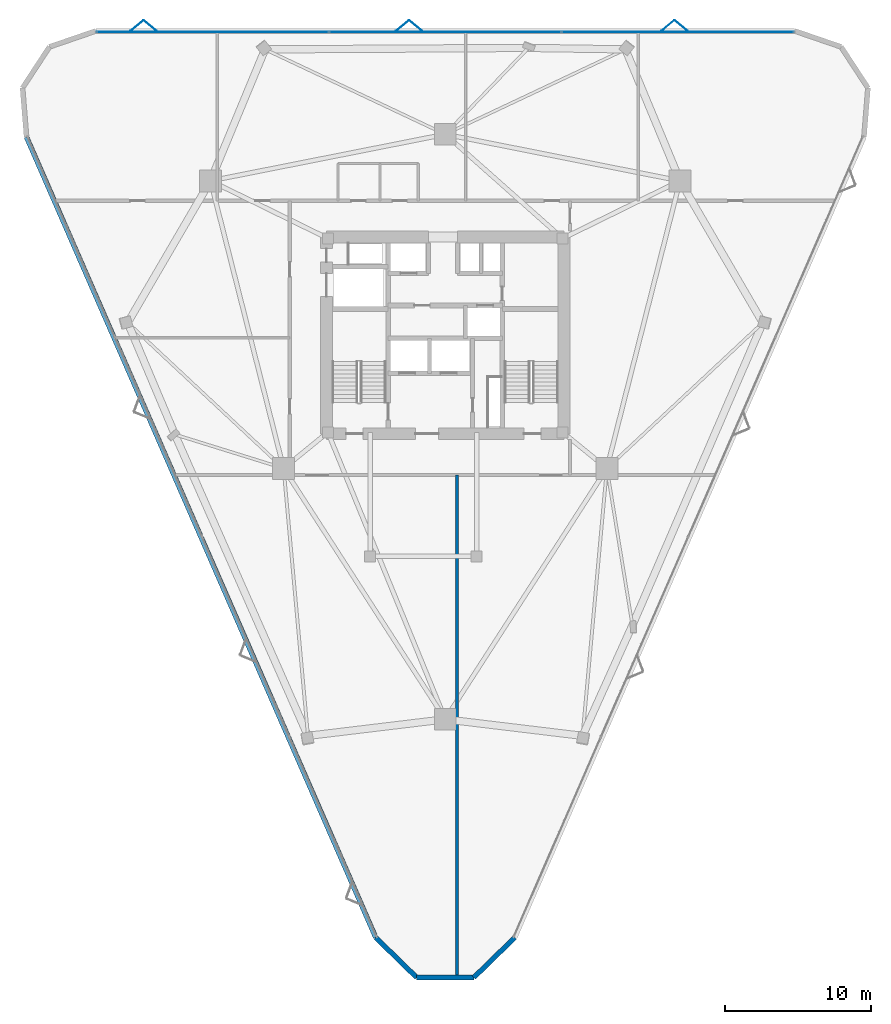
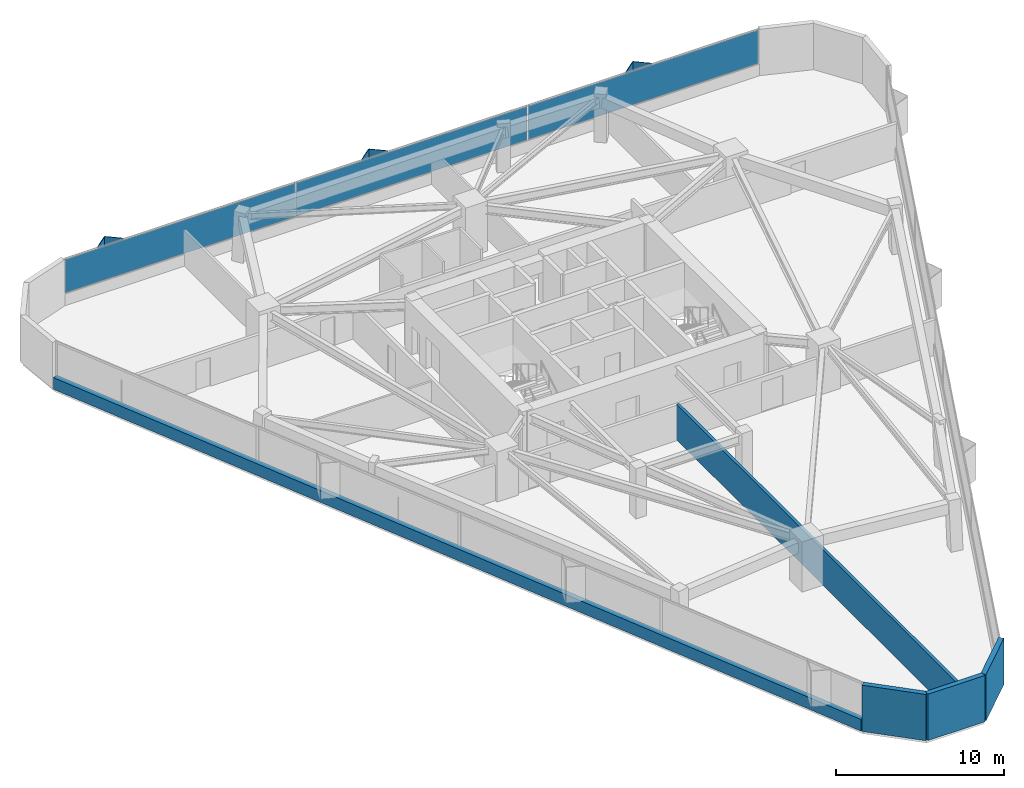
# One storey, part 11 of 14: 9 plates, 5 walls, 1 element without a shape of its own.
"""IFC4 building model written with IfcOpenShell, lengths in metres."""

from ifc_helpers import new_model, si_unit, direction, frame, frame_2d, origin, origin_2d, place, context, subcontext, project, spatial, rectangle, extrude, material, layer, layer_set, type_object, element, aggregate, save


model = new_model("IFC4")

# Units and contexts
model_context = context("Model", 3, precision=1e-05, world=origin(), true_north=direction((0.0, 1.0)))
body_context = subcontext(model_context, "Body", "Model", "MODEL_VIEW")
ifc_project = project(units=[si_unit("LENGTHUNIT", "METRE"), si_unit("AREAUNIT", "SQUARE_METRE"), si_unit("VOLUMEUNIT", "CUBIC_METRE"), si_unit("PLANEANGLEUNIT", "RADIAN"), si_unit("MASSUNIT", "GRAM", prefix="KILO")], contexts=[model_context])

# Site, building, storey
site_placement = place(None, origin())
site = spatial("IfcSite", under=ifc_project, at=site_placement, CompositionType="ELEMENT")
building_placement = place(site_placement, origin())
building = spatial("IfcBuilding", under=site, at=building_placement, Name="Talyreon Biosciences Tower", CompositionType="ELEMENT")
storey_placement = place(building_placement, frame((0.0, 0.0, 138.14990234375)))
storey = spatial("IfcBuildingStorey", under=building, at=storey_placement, Name="L36", CompositionType="ELEMENT", Elevation=138.14990234375)

# Curtain wall, plates
ifc_material_1 = material(Name="Thermally broken aluminium and low-E glazing", Category="aluminium")
ifc_layer_1 = layer(ifc_material_1, 0.18505859375)
ifc_layer_set_1 = layer_set([ifc_layer_1], Name="Thermally broken aluminium and low-E glazing")
curtain_wall_type = type_object("IfcCurtainWallType", Name="CurtainWall_Zone3Bioprocess", PredefinedType="NOTDEFINED", material=ifc_layer_set_1)
curtain_wall_placement = place(storey_placement, origin())
curtain_wall = element("IfcCurtainWall", 1, at=curtain_wall_placement, inside=storey, type_object=curtain_wall_type, Name="L36 Unitised Curtain Wall FCW-L36-04", PredefinedType="NOTDEFINED")
ifc_material_2 = material(Name="Triple-silver low-E insulated glazing", Category="glass")
ifc_layer_2 = layer(ifc_material_2, 0.031982421875)
ifc_layer_set_2 = layer_set([ifc_layer_2], Name="Triple-silver low-E insulated glazing")
plate_type_1 = type_object("IfcPlateType", Name="CWGlazingPanel_32", PredefinedType="CURTAIN_PANEL", material=ifc_layer_set_2)
plate_1_placement = place(storey_placement, frame((50.04443359375, 88.80615234375, 0.875), z_axis=(0.0, 0.0, 1.0), x_axis=(1.0, 0.0, 0.0)))
plate_1 = element("IfcPlate", 2, at=plate_1_placement, type_object=plate_type_1, Name="CW4 panel 1.1", PredefinedType="CURTAIN_PANEL", context=body_context, shape_type="SweptSolid", body=[
    extrude(rectangle(XDim=15.874267578125, YDim=0.031982421875, at=origin_2d()), origin(), (0.0, 0.0, 1.0), 2.43505859375),
])
plate_2_placement = place(storey_placement, frame((66.0, 88.80615234375, 0.875), z_axis=(0.0, 0.0, 1.0), x_axis=(1.0, 0.0, 0.0)))
plate_2 = element("IfcPlate", 3, at=plate_2_placement, type_object=plate_type_1, Name="CW4 panel 2.1", PredefinedType="CURTAIN_PANEL", context=body_context, shape_type="SweptSolid", body=[
    extrude(rectangle(XDim=15.90673828125, YDim=0.031982421875, at=origin_2d()), origin(), (0.0, 0.0, 1.0), 2.43505859375),
])
plate_3_placement = place(storey_placement, frame((81.95556640625, 88.80615234375, 0.875), z_axis=(0.0, 0.0, 1.0), x_axis=(1.0, 0.0, 0.0)))
plate_3 = element("IfcPlate", 4, at=plate_3_placement, type_object=plate_type_1, Name="CW4 panel 3.1", PredefinedType="CURTAIN_PANEL", context=body_context, shape_type="SweptSolid", body=[
    extrude(rectangle(XDim=15.874267578125, YDim=0.031982421875, at=origin_2d()), origin(), (0.0, 0.0, 1.0), 2.43505859375),
])
aggregate(curtain_wall, [plate_1, plate_2, plate_3])

# Plates
ifc_material_3 = material(Name="Ivory GFRC sunshade panel", Category="concrete")
ifc_layer_3 = layer(ifc_material_3, 0.044921875)
ifc_layer_set_3 = layer_set([ifc_layer_3], Name="Ivory GFRC sunshade panel")
plate_type_2 = type_object("IfcPlateType", Name="FoldedVSunshade_NorthFace_SUNSHADE", PredefinedType="USERDEFINED", material=ifc_layer_set_3)
for number, where, z_axis, x_axis, name in (
    (5, (44.8623046875, 89.24609375, 0.7900390625), (0.0, 0.0, 1.0), (0.771624583388, 0.636078220278, 0.0), "L36 Folded V-Sunshade Panel 04.01L"),
    (6, (45.76220703125, 89.24609375, 0.7900390625), (0.0, 0.0, 1.0), (0.771624583388, -0.636078220278, 0.0), "L36 Folded V-Sunshade Panel 04.01R"),
    (7, (63.062255859375, 89.24609375, 0.7900390625), (0.0, 0.0, 1.0), (0.771624583388, 0.636078220278, 0.0), "L36 Folded V-Sunshade Panel 04.02L"),
    (8, (63.96240234375, 89.24609375, 0.7900390625), (0.0, 0.0, 1.0), (0.771624583388, -0.636078220278, 0.0), "L36 Folded V-Sunshade Panel 04.02R"),
    (9, (81.26220703125, 89.24609375, 0.7900390625), (0.0, 0.0, 1.0), (0.771624583388, 0.636078220278, 0.0), "L36 Folded V-Sunshade Panel 04.03L"),
    (10, (82.162353515625, 89.24609375, 0.7900390625), (0.0, 0.0, 1.0), (0.771624583388, -0.636078220278, 0.0), "L36 Folded V-Sunshade Panel 04.03R"),
):
    element("IfcPlate", number, at=place(storey_placement, frame(where, z_axis=z_axis, x_axis=x_axis)), inside=storey, type_object=plate_type_2, Name=name, ObjectType="SUNSHADE", PredefinedType="USERDEFINED", context=body_context, shape_type="SweptSolid", body=[
        extrude(rectangle(XDim=1.14990234375, YDim=0.044921875, at=origin_2d()), origin(), (0.0, 0.0, 1.0), 2.5849609375),
    ])

# Walls
ifc_material_4 = material(Name="Gypsum fireboard acoustic stud", Category="gypsum")
ifc_layer_4 = layer(ifc_material_4, 0.199951171875)
ifc_layer_set_4 = layer_set([ifc_layer_4], Name="Gypsum fireboard acoustic stud")
wall_type_1 = type_object("IfcWallType", Name="ChemControlPartition_200", PredefinedType="PARTITIONING", material=ifc_layer_set_4)
wall_1_placement = place(storey_placement, frame((66.800048828125, 24.04150390625, 0.0), z_axis=(0.0, 0.0, 1.0), x_axis=(0.0, 1.0, 0.0)))
element("IfcWall", 11, at=wall_1_placement, inside=storey, type_object=wall_type_1, Name="L36 Interior Wall IW-L36-SDIV1", PredefinedType="PARTITIONING", context=body_context, shape_type="SweptSolid", body=[
    extrude(rectangle(XDim=34.37841796875, YDim=0.199951171875, at=frame_2d((17.189208984375, 0.0))), origin(), (0.0, 0.0, 1.0), 2.5751953125),
])
ifc_material_5 = material(Name="Precast concrete C45/55", Category="concrete")
ifc_layer_5 = layer(ifc_material_5, 0.340087890625)
ifc_layer_set_5 = layer_set([ifc_layer_5], Name="Precast concrete C45/55")
wall_type_2 = type_object("IfcWallType", Name="PrecastConcreteSpandrelWall_340", PredefinedType="STANDARD", material=ifc_layer_set_5)
wall_2_placement = place(storey_placement, frame((61.23388671875, 26.693603515625, 0.0), z_axis=(0.0, 0.0, 1.0), x_axis=(-0.399884020411, 0.916565747898, 0.0)))
element("IfcWall", 12, at=wall_2_placement, inside=storey, type_object=wall_type_2, Name="L36 Expressed Concrete Sill Wall 00", PredefinedType="STANDARD", context=body_context, shape_type="SweptSolid", body=[
    extrude(rectangle(XDim=59.911865234375, YDim=0.340087890625, at=frame_2d((29.9560546875, 0.0))), origin(), (0.0, 0.0, 1.0), 0.85009765625),
])
for number, where, z_axis, x_axis, name in (
    (13, (70.76611328125, 26.693603515625, 0.0), (0.0, 0.0, 1.0), (-0.715864707073, -0.698239014355, 0.0), "L36 Rounded-Corner Concrete Pier 09"),
    (14, (67.9599609375, 23.95654296875, 0.0), (0.0, 0.0, 1.0), (-1.0, 0.0, 0.0), "L36 Rounded-Corner Concrete Pier 10"),
    (15, (64.0400390625, 23.95654296875, 0.0), (0.0, 0.0, 1.0), (-0.715864707073, 0.698239014355, 0.0), "L36 Rounded-Corner Concrete Pier 11"),
):
    element("IfcWall", number, at=place(storey_placement, frame(where, z_axis=z_axis, x_axis=x_axis)), inside=storey, type_object=wall_type_2, Name=name, PredefinedType="STANDARD", context=body_context, shape_type="SweptSolid", body=[
        extrude(rectangle(XDim=3.919921875, YDim=0.340087890625, at=frame_2d((1.9599609375, 0.0))), origin(), (0.0, 0.0, 1.0), 3.375),
    ])

save(model, "model.ifc")
